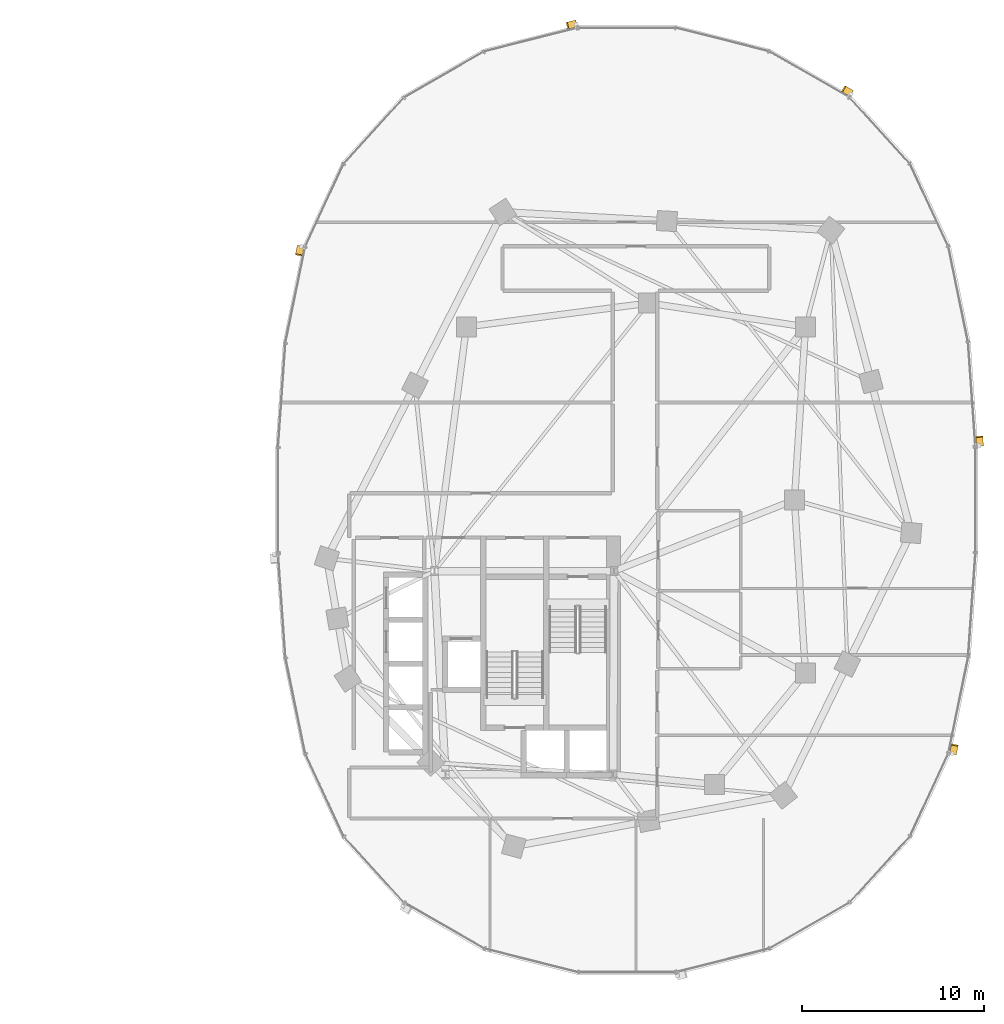
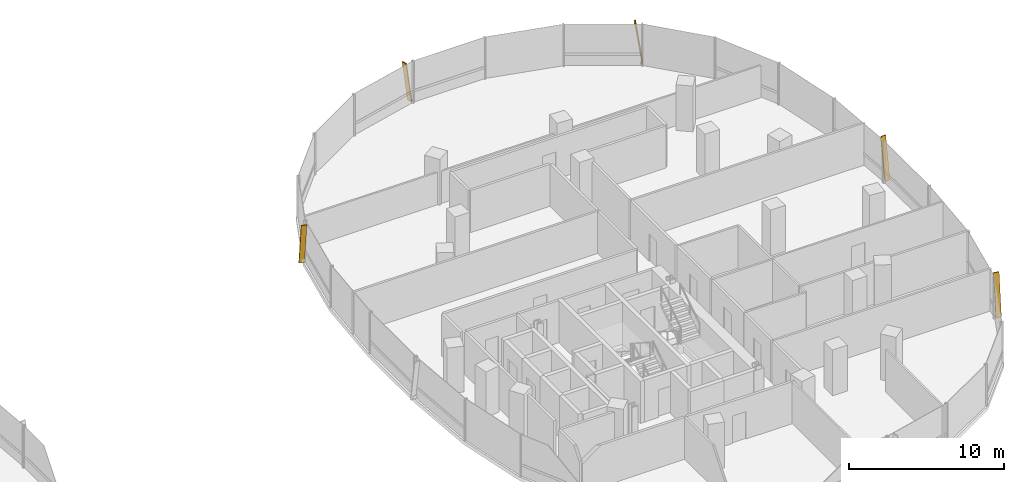
# One storey, part 21 of 21: 5 shading devices.
"""IFC4 building model written with IfcOpenShell, lengths in metres."""

from ifc_helpers import new_model, si_unit, direction, frame, origin, origin_2d, place, context, subcontext, project, spatial, rectangle, extrude, material, material_profile, profile_set, type_object, element, save


model = new_model("IFC4")

# Units and contexts
model_context = context("Model", 3, precision=1e-05, world=origin(), true_north=direction((0.0, 1.0)))
body_context = subcontext(model_context, "Body", "Model", "MODEL_VIEW")
ifc_project = project(units=[si_unit("LENGTHUNIT", "METRE"), si_unit("AREAUNIT", "SQUARE_METRE"), si_unit("VOLUMEUNIT", "CUBIC_METRE"), si_unit("PLANEANGLEUNIT", "RADIAN"), si_unit("MASSUNIT", "GRAM", prefix="KILO"), si_unit("THERMODYNAMICTEMPERATUREUNIT", "KELVIN"), si_unit("POWERUNIT", "WATT")], contexts=[model_context])

# Site, building, storey
site_placement = place(None, origin())
site = spatial("IfcSite", under=ifc_project, at=site_placement, CompositionType="ELEMENT")
building_placement = place(site_placement, origin())
building = spatial("IfcBuilding", under=site, at=building_placement, Name="Cundina Bronze Exchange", CompositionType="ELEMENT")
storey_placement = place(building_placement, frame((0.0, 0.0, 121.39990234375)))
storey = spatial("IfcBuildingStorey", under=building, at=storey_placement, Name="L31", CompositionType="ELEMENT", Elevation=121.39990234375)

# Shading devices
ifc_material = material(Name="Anodised Bronze Aluminium 6063-T6", Category="aluminium")
ifc_material_profile = material_profile(ifc_material, rectangle(XDim=0.070068359375, YDim=0.3798828125, at=origin_2d()), Name="FIN70X380", Category="aluminium")
ifc_profile_set = profile_set([ifc_material_profile], Name="Anodised Bronze Aluminium 6063-T6")
shading_device_type = type_object("IfcShadingDeviceType", Name="SHD-FIN-BRZ380", PredefinedType="USERDEFINED", material=ifc_profile_set)
for number, where, z_axis, x_axis, name in (
    (1, (51.3740234375, 2.993896484375, 0.02001953125), (-0.010224545828, 0.145292278041, 0.989335945271), (0.069450050635, -0.986895284755, 0.145651595925), "L31 Diagonal Bronze Solar Fin 1"),
    (2, (44.314208984375, 22.314208984375, 0.02001953125), (-0.126324692219, 0.072534823274, 0.989333498649), (0.857958278167, -0.492634108109, 0.145668213594), "L31 Diagonal Bronze Solar Fin 5"),
    (3, (29.212646484375, 26.138427734375, 0.02001953125), (-0.141217047268, -0.035711761166, 0.989334329575), (0.95914051701, 0.242552848478, 0.145662570088), "L31 Diagonal Bronze Solar Fin 1"),
    (4, (14.10400390625, 13.911865234375, 0.02001953125), (-0.029413888538, -0.142698109128, 0.989329102378), (0.199728220342, 0.968958570224, 0.145698068578), "L31 Diagonal Bronze Solar Fin 5"),
    (5, (49.89599609375, -13.911865234375, 0.02001953125), (0.029413888538, 0.142698109128, 0.989329102378), (-0.199728220342, -0.968958570224, 0.145698068578), "L31 Diagonal Bronze Solar Fin 5"),
):
    element("IfcShadingDevice", number, at=place(storey_placement, frame(where, z_axis=z_axis, x_axis=x_axis)), inside=storey, type_object=shading_device_type, Name=name, ObjectType="FIN", PredefinedType="USERDEFINED", context=body_context, shape_type="SweptSolid", body=[
        extrude(rectangle(XDim=0.070068359375, YDim=0.3798828125, at=origin_2d()), origin(), (0.0, 0.0, 1.0), 3.295166015625),
    ])

save(model, "model.ifc")
